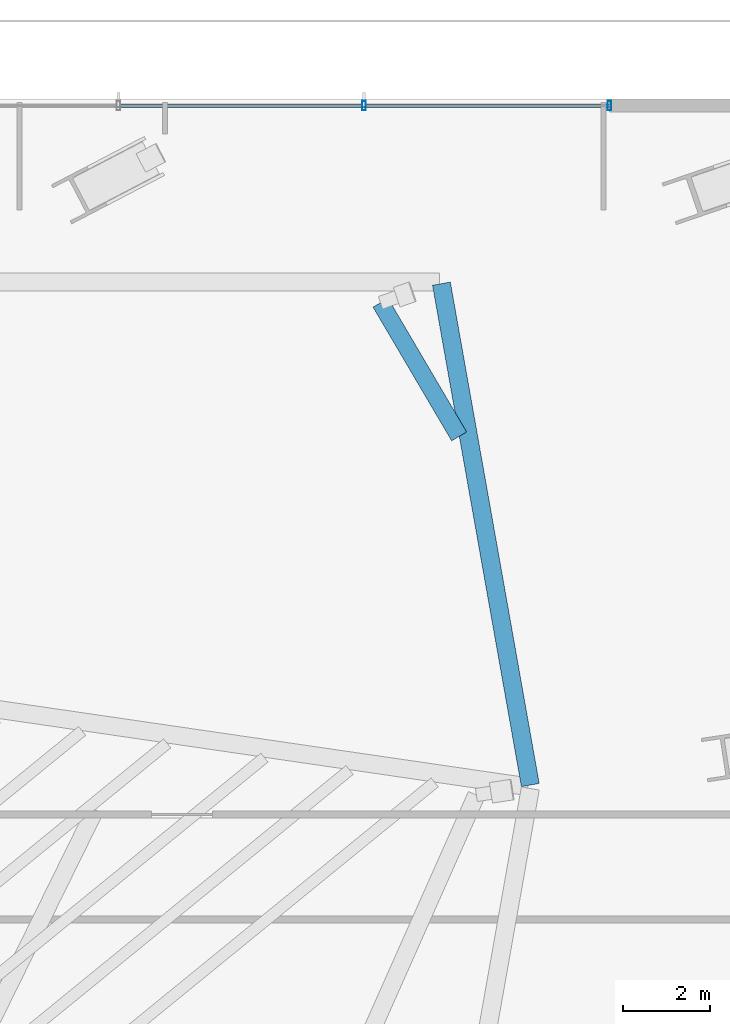
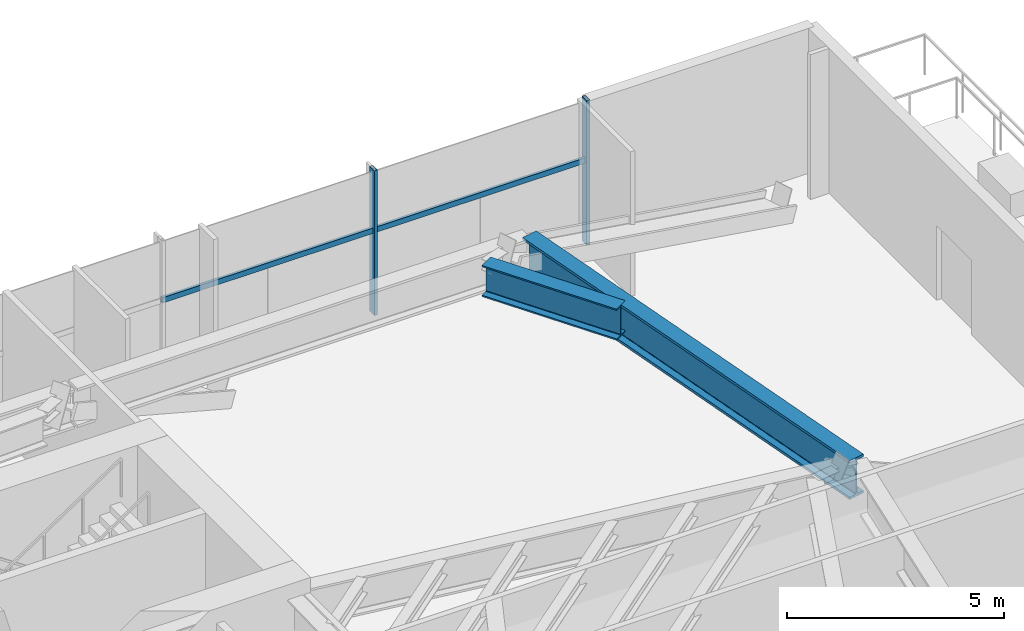
# One storey, part 18 of 29: 4 members, 2 beams, 1 element without a shape of its own.
"""IFC4 building model written with IfcOpenShell, lengths in metres."""

from ifc_helpers import new_model, si_unit, direction, frame, origin, origin_2d, place, context, subcontext, project, spatial, hollow_rectangle, i_section, extrude, source, transform, mapped, material, material_profile, profile_set, type_object, type_shapes, element, aggregate, save


model = new_model("IFC4")

# Units and contexts
model_context = context("Model", 3, precision=1e-05, world=origin(), true_north=direction((0.0, 1.0)))
body_context = subcontext(model_context, "Body", "Model", "MODEL_VIEW")
ifc_project = project(units=[si_unit("LENGTHUNIT", "METRE"), si_unit("AREAUNIT", "SQUARE_METRE"), si_unit("VOLUMEUNIT", "CUBIC_METRE"), si_unit("PLANEANGLEUNIT", "RADIAN"), si_unit("MASSUNIT", "GRAM", prefix="KILO")], contexts=[model_context])

# Site, building, storey
site_placement = place(None, origin())
site = spatial("IfcSite", under=ifc_project, at=site_placement, CompositionType="ELEMENT")
building_placement = place(site_placement, origin())
building = spatial("IfcBuilding", under=site, at=building_placement, Name="Astriad Promenade Condominiums", CompositionType="ELEMENT")
storey_placement = place(building_placement, frame((0.0, 0.0, 18.5)))
storey = spatial("IfcBuildingStorey", under=building, at=storey_placement, Name="L04", CompositionType="ELEMENT", Elevation=18.5)

# Beams
ifc_material_1 = material(Name="Steel ASTM A992 Grade 50", Category="steel")
ifc_material_profile_1 = material_profile(ifc_material_1, i_section(OverallWidth=0.4169921875, OverallDepth=1.093505859375, WebThickness=0.0390625, FlangeThickness=0.070068359375, FilletRadius=0.025390625, at=origin_2d()), Name="W40X503")
ifc_profile_set_1 = profile_set([ifc_material_profile_1], Name="Steel ASTM A992 Grade 50")
beam_type_1 = type_object("IfcBeamType", Name="STEEL TRANSFER GIRDER W40X503", PredefinedType="BEAM", material=ifc_profile_set_1)
shared_shape_1 = source(origin(), body_context, "Body", "SweptSolid", [
    extrude(i_section(OverallWidth=0.4169921875, OverallDepth=1.093505859375, WebThickness=0.0390625, FlangeThickness=0.070068359375, FilletRadius=0.025390625, at=origin_2d()), origin(), (0.0, 0.0, 1.0), 11.7294921875),
])
type_shapes(beam_type_1, [shared_shape_1])
beam_1_placement = place(storey_placement, frame((59.623779296875, 15.400146484375, 3.533203125), z_axis=(-0.17452621073, 0.984652528443, 0.0), x_axis=(-0.984652528443, -0.17452621073, 0.0)))
element("IfcBeam", 1, at=beam_1_placement, inside=storey, type_object=beam_type_1, Name="Perimeter Spandrel Beam SP-E2-L04", PredefinedType="BEAM", context=body_context, shape_type="MappedRepresentation", body=[
    mapped(shared_shape_1, transform((0.0, 0.0, 0.0), scale=1.0)),
])
ifc_material_profile_2 = material_profile(ifc_material_1, i_section(OverallWidth=0.4013671875, OverallDepth=0.877197265625, WebThickness=0.022216796875, FlangeThickness=0.039794921875, FilletRadius=0.02294921875, at=origin_2d()), Name="W33X263")
ifc_profile_set_2 = profile_set([ifc_material_profile_2], Name="Steel ASTM A992 Grade 50")
beam_type_2 = type_object("IfcBeamType", Name="STEEL TRANSFER CARRIER GIRDER W33X263", PredefinedType="BEAM", material=ifc_profile_set_2)
shared_shape_2 = source(origin(), body_context, "Body", "SweptSolid", [
    extrude(i_section(OverallWidth=0.4013671875, OverallDepth=0.877197265625, WebThickness=0.022216796875, FlangeThickness=0.039794921875, FilletRadius=0.02294921875, at=origin_2d()), origin(), (0.0, 0.0, 1.0), 3.572998046875),
])
type_shapes(beam_type_2, [shared_shape_2])
beam_2_placement = place(storey_placement, frame((57.98486328125, 23.431396484375, 3.641357421875), z_axis=(-0.507020126563, 0.861934215158, 0.0), x_axis=(-0.861934215158, -0.507020126563, 0.0)))
element("IfcBeam", 2, at=beam_2_placement, inside=storey, type_object=beam_type_2, Name="Transfer Splice Carrier TRM-SP-PC10-L04", PredefinedType="BEAM", context=body_context, shape_type="MappedRepresentation", body=[
    mapped(shared_shape_2, transform((0.0, 0.0, 0.0), scale=1.0)),
])

# Curtain wall, members
ifc_material_2 = material(Name="Anodised aluminium Black Dark Glass Unitised", Category="aluminium")
curtain_wall_type = type_object("IfcCurtainWallType", Name="CW-POD-DARK", PredefinedType="USERDEFINED", material=ifc_material_2)
curtain_wall_placement = place(storey_placement, origin())
curtain_wall = element("IfcCurtainWall", 3, at=curtain_wall_placement, inside=storey, type_object=curtain_wall_type, Name="CW-L04-N", ObjectType="UNITISED_CURTAIN_WALL", PredefinedType="USERDEFINED")
ifc_material_3 = material(Name="Anodised aluminium 6063-T6 Black", Category="aluminium")
ifc_material_profile_3 = material_profile(ifc_material_3, hollow_rectangle(XDim=0.0849609375, YDim=0.219970703125, WallThickness=0.0048828125, at=origin_2d()), Name="ALU-MUL-85X220")
ifc_profile_set_3 = profile_set([ifc_material_profile_3], Name="Anodised aluminium 6063-T6 Black")
member_type_1 = type_object("IfcMemberType", Name="MUL-ALU-MUL-85X220", PredefinedType="MULLION", material=ifc_profile_set_3)
shared_shape_3 = source(origin(), body_context, "Body", "SweptSolid", [
    extrude(hollow_rectangle(XDim=0.0849609375, YDim=0.219970703125, WallThickness=0.0048828125, at=origin_2d()), origin(), (0.0, 0.0, 1.0), 4.080078125),
])
type_shapes(member_type_1, [shared_shape_3])
member_1_placement = place(storey_placement, frame((55.79443359375, 31.050048828125, 0.0), z_axis=(0.0, 0.0, 1.0), x_axis=(1.0, 0.0, 0.0)))
member_1 = element("IfcMember", 4, at=member_1_placement, type_object=member_type_1, Name="CW-L04-N-MUL-08", PredefinedType="MULLION", context=body_context, shape_type="MappedRepresentation", body=[
    mapped(shared_shape_3, transform((0.0, 0.0, 0.0), scale=1.0)),
])
member_2_placement = place(storey_placement, frame((61.449951171875, 31.050048828125, 0.0), z_axis=(0.0, 0.0, 1.0), x_axis=(1.0, 0.0, 0.0)))
member_2 = element("IfcMember", 5, at=member_2_placement, type_object=member_type_1, Name="CW-L04-N-MUL-09", PredefinedType="MULLION", context=body_context, shape_type="MappedRepresentation", body=[
    mapped(shared_shape_3, transform((0.0, 0.0, 0.0), scale=1.0)),
])
ifc_material_profile_4 = material_profile(ifc_material_3, hollow_rectangle(XDim=0.074951171875, YDim=0.14990234375, WallThickness=0.004150390625, at=origin_2d()), Name="ALU-TRN-75X150")
ifc_profile_set_4 = profile_set([ifc_material_profile_4], Name="Anodised aluminium 6063-T6 Black")
member_type_2 = type_object("IfcMemberType", Name="TRN-ALU-TRN-75X150", PredefinedType="USERDEFINED", material=ifc_profile_set_4)
shared_shape_4 = source(origin(), body_context, "Body", "SweptSolid", [
    extrude(hollow_rectangle(XDim=0.074951171875, YDim=0.14990234375, WallThickness=0.004150390625, at=origin_2d()), origin(), (0.0, 0.0, 1.0), 5.655517578125),
])
type_shapes(member_type_2, [shared_shape_4])
member_3_placement = place(storey_placement, frame((50.138916015625, 31.050048828125, 2.35009765625), z_axis=(1.0, 0.0, 0.0), x_axis=(0.0, 1.0, 0.0)))
member_3 = element("IfcMember", 6, at=member_3_placement, type_object=member_type_2, Name="CW-L04-N-TRN-07-0", ObjectType="TRANSOM", PredefinedType="USERDEFINED", context=body_context, shape_type="MappedRepresentation", body=[
    mapped(shared_shape_4, transform((0.0, 0.0, 0.0), scale=1.0)),
])
member_4_placement = place(storey_placement, frame((55.79443359375, 31.050048828125, 2.35009765625), z_axis=(1.0, 0.0, 0.0), x_axis=(0.0, 1.0, 0.0)))
member_4 = element("IfcMember", 7, at=member_4_placement, type_object=member_type_2, Name="CW-L04-N-TRN-08-0", ObjectType="TRANSOM", PredefinedType="USERDEFINED", context=body_context, shape_type="MappedRepresentation", body=[
    mapped(shared_shape_4, transform((0.0, 0.0, 0.0), scale=1.0)),
])
aggregate(curtain_wall, [member_1, member_2, member_3, member_4])

save(model, "model.ifc")
